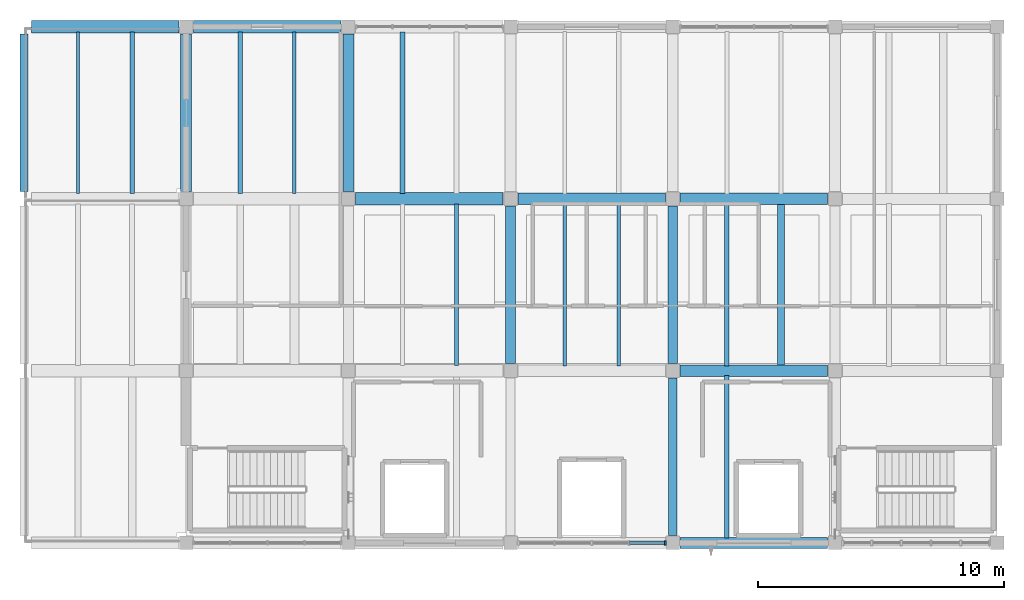
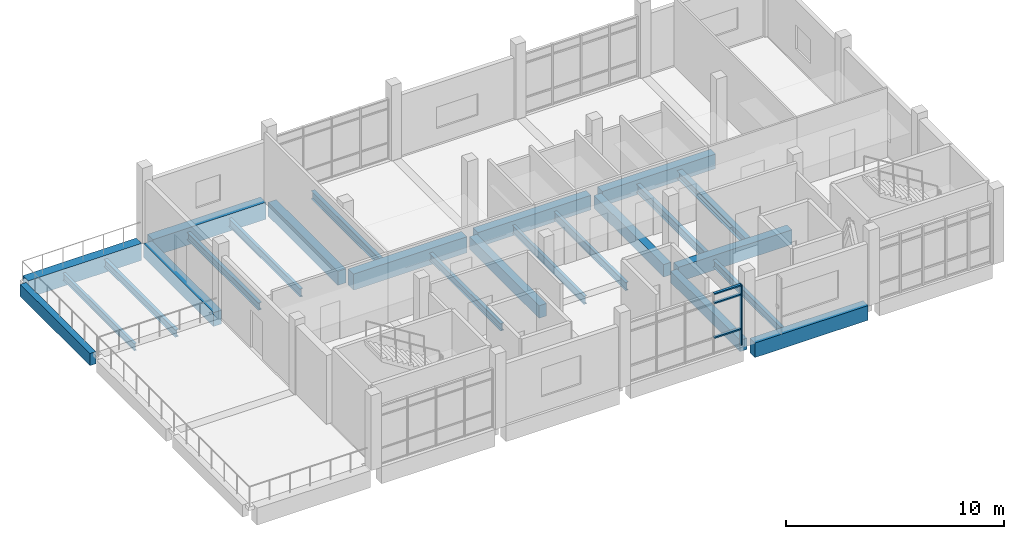
# One storey, part 3 of 12: 24 beams, 4 members, 1 element without a shape of its own.
"""IFC4 building model written with IfcOpenShell, lengths in metres."""

from ifc_helpers import new_model, si_unit, direction, frame, origin, origin_2d, place, context, subcontext, project, spatial, rectangle, i_section, extrude, material, material_profile, profile_set, type_object, element, aggregate, save


model = new_model("IFC4")

# Units and contexts
model_context = context("Model", 3, precision=1e-05, world=origin(), true_north=direction((0.0, 1.0)))
body_context = subcontext(model_context, "Body", "Model", "MODEL_VIEW")
ifc_project = project(units=[si_unit("LENGTHUNIT", "METRE"), si_unit("AREAUNIT", "SQUARE_METRE"), si_unit("VOLUMEUNIT", "CUBIC_METRE"), si_unit("PLANEANGLEUNIT", "RADIAN"), si_unit("MASSUNIT", "GRAM", prefix="KILO")], contexts=[model_context])

# Site, building, storey
site_placement = place(None, origin())
site = spatial("IfcSite", under=ifc_project, at=site_placement, CompositionType="ELEMENT")
building_placement = place(site_placement, origin())
building = spatial("IfcBuilding", under=site, at=building_placement, Name="Ciguamira Faculty of Natural Sciences", CompositionType="ELEMENT")
storey_placement = place(building_placement, frame((0.0, 0.0, 37.800048828125)))
storey = spatial("IfcBuildingStorey", under=building, at=storey_placement, Name="L09", CompositionType="ELEMENT", Elevation=37.800048828125)

# Curtain wall, members
ifc_material_1 = material(Name="Anodized aluminium curtain wall", Category="aluminium")
curtain_wall_type = type_object("IfcCurtainWallType", Name="CurtainWall_CW-05", PredefinedType="USERDEFINED", material=ifc_material_1)
curtain_wall_placement = place(storey_placement, origin())
curtain_wall = element("IfcCurtainWall", 1, at=curtain_wall_placement, inside=storey, type_object=curtain_wall_type, Name="L09 unitised curtain wall 0161", ObjectType="UNITISED CURTAIN WALL", PredefinedType="USERDEFINED")
ifc_material_2 = material(Name="Anodized aluminium mullion", Category="aluminium")
ifc_material_profile_1 = material_profile(ifc_material_2, rectangle(XDim=0.070068359375, YDim=0.179931640625, at=origin_2d()), Name="ALU-MUL-70X180")
ifc_profile_set_1 = profile_set([ifc_material_profile_1], Name="Anodized aluminium mullion")
member_type_1 = type_object("IfcMemberType", Name="CWMullion_CWM-02", PredefinedType="MULLION", material=ifc_profile_set_1)
member_1_placement = place(storey_placement, frame((89.989990234375, 94.0, 0.0), z_axis=(0.0, 0.0, 1.0), x_axis=(1.0, 0.0, 0.0)))
member_1 = element("IfcMember", 2, at=member_1_placement, type_object=member_type_1, Name="CW-05 mullion 5", PredefinedType="MULLION", context=body_context, shape_type="SweptSolid", body=[
    extrude(rectangle(XDim=0.070068359375, YDim=0.179931640625, at=origin_2d()), origin(), (0.0, 0.0, 1.0), 3.385009765625),
])
ifc_material_3 = material(Name="Anodized aluminium transom", Category="aluminium")
ifc_material_profile_2 = material_profile(ifc_material_3, rectangle(XDim=0.070068359375, YDim=0.139892578125, at=origin_2d()), Name="ALU-TRN-70X140")
ifc_profile_set_2 = profile_set([ifc_material_profile_2], Name="Anodized aluminium transom")
member_type_2 = type_object("IfcMemberType", Name="CWTransom_CWT-02", PredefinedType="USERDEFINED", material=ifc_profile_set_2)
member_2_placement = place(storey_placement, frame((88.547607421875, 94.0, 0.89990234375), z_axis=(1.0, 0.0, 0.0), x_axis=(0.0, 0.0, 1.0)))
member_2 = element("IfcMember", 3, at=member_2_placement, type_object=member_type_2, Name="CW-05 transom 4.2", ObjectType="TRANSOM", PredefinedType="USERDEFINED", context=body_context, shape_type="SweptSolid", body=[
    extrude(rectangle(XDim=0.070068359375, YDim=0.139892578125, at=origin_2d()), origin(), (0.0, 0.0, 1.0), 1.407470703125),
])
member_3_placement = place(storey_placement, frame((88.547607421875, 94.0, 2.8349609375), z_axis=(1.0, 0.0, 0.0), x_axis=(0.0, 0.0, 1.0)))
member_3 = element("IfcMember", 4, at=member_3_placement, type_object=member_type_2, Name="CW-05 transom 4.3", ObjectType="TRANSOM", PredefinedType="USERDEFINED", context=body_context, shape_type="SweptSolid", body=[
    extrude(rectangle(XDim=0.070068359375, YDim=0.139892578125, at=origin_2d()), origin(), (0.0, 0.0, 1.0), 1.407470703125),
])
member_4_placement = place(storey_placement, frame((88.547607421875, 94.0, 3.349853515625), z_axis=(1.0, 0.0, 0.0), x_axis=(0.0, 0.0, 1.0)))
member_4 = element("IfcMember", 5, at=member_4_placement, type_object=member_type_2, Name="CW-05 transom 4.4", ObjectType="TRANSOM", PredefinedType="USERDEFINED", context=body_context, shape_type="SweptSolid", body=[
    extrude(rectangle(XDim=0.070068359375, YDim=0.139892578125, at=origin_2d()), origin(), (0.0, 0.0, 1.0), 1.407470703125),
])
aggregate(curtain_wall, [member_1, member_2, member_3, member_4])

# Beams
ifc_material_4 = material(Name="Concrete C40/50", Category="concrete")
ifc_material_profile_3 = material_profile(ifc_material_4, rectangle(XDim=0.5, YDim=0.949951171875, at=origin_2d()), Name="RC-BM-500X950")
ifc_profile_set_3 = profile_set([ifc_material_profile_3], Name="Concrete C40/50")
beam_type_1 = type_object("IfcBeamType", Name="RCBeam_BG-02_RC-BM-500X950", PredefinedType="BEAM", material=ifc_profile_set_3)
for number, where, z_axis, x_axis, name in (
    (6, (64.199951171875, 115.0, -0.47509765625), (1.0, 0.0, 0.0), (0.0, 1.0, 0.0), "L09 RC girder EW-1651"),
    (7, (70.800048828125, 115.0, -0.47509765625), (1.0, 0.0, 0.0), (0.0, 1.0, 0.0), "L09 RC girder EW-1652"),
):
    element("IfcBeam", number, at=place(storey_placement, frame(where, z_axis=z_axis, x_axis=x_axis)), inside=storey, type_object=beam_type_1, Name=name, PredefinedType="BEAM", context=body_context, shape_type="SweptSolid", body=[
        extrude(rectangle(XDim=0.5, YDim=0.949951171875, at=origin_2d()), origin(), (0.0, 0.0, 1.0), 6.0),
    ])
ifc_material_profile_4 = material_profile(ifc_material_4, rectangle(XDim=0.5, YDim=0.89990234375, at=origin_2d()), Name="RC-BM-500X900")
ifc_profile_set_4 = profile_set([ifc_material_profile_4], Name="Concrete C40/50")
beam_type_2 = type_object("IfcBeamType", Name="RCBeam_BG-03_RC-BM-500X900", PredefinedType="BEAM", material=ifc_profile_set_4)
beam_1_placement = place(storey_placement, frame((77.39990234375, 108.0, -0.449951171875), z_axis=(1.0, 0.0, 0.0), x_axis=(0.0, 1.0, 0.0)))
element("IfcBeam", 8, at=beam_1_placement, inside=storey, type_object=beam_type_2, Name="L09 RC girder EW-1647", PredefinedType="BEAM", context=body_context, shape_type="SweptSolid", body=[
    extrude(rectangle(XDim=0.5, YDim=0.89990234375, at=origin_2d()), origin(), (0.0, 0.0, 1.0), 6.0),
])
ifc_material_profile_5 = material_profile(ifc_material_4, rectangle(XDim=0.4599609375, YDim=0.820068359375, at=origin_2d()), Name="RC-BM-460X820")
ifc_profile_set_5 = profile_set([ifc_material_profile_5], Name="Concrete C40/50")
beam_type_3 = type_object("IfcBeamType", Name="RCBeam_BG-04_RC-BM-460X820", PredefinedType="BEAM", material=ifc_profile_set_5)
for number, where, z_axis, x_axis, name in (
    (9, (90.60009765625, 94.0, -0.41015625), (1.0, 0.0, 0.0), (0.0, 1.0, 0.0), "L09 RC girder EW-1637"),
    (10, (90.60009765625, 101.0, -0.41015625), (1.0, 0.0, 0.0), (0.0, 1.0, 0.0), "L09 RC girder EW-1643"),
    (11, (84.0, 108.0, -0.41015625), (1.0, 0.0, 0.0), (0.0, 1.0, 0.0), "L09 RC girder EW-1648"),
    (12, (90.60009765625, 108.0, -0.41015625), (1.0, 0.0, 0.0), (0.0, 1.0, 0.0), "L09 RC girder EW-1649"),
):
    element("IfcBeam", number, at=place(storey_placement, frame(where, z_axis=z_axis, x_axis=x_axis)), inside=storey, type_object=beam_type_3, Name=name, PredefinedType="BEAM", context=body_context, shape_type="SweptSolid", body=[
        extrude(rectangle(XDim=0.4599609375, YDim=0.820068359375, at=origin_2d()), origin(), (0.0, 0.0, 1.0), 6.0),
    ])
ifc_material_profile_6 = material_profile(ifc_material_4, rectangle(XDim=0.43994140625, YDim=0.780029296875, at=origin_2d()), Name="RC-BM-440X780")
ifc_profile_set_6 = profile_set([ifc_material_profile_6], Name="Concrete C40/50")
beam_type_4 = type_object("IfcBeamType", Name="RCBeam_BG-06_RC-BM-440X780", PredefinedType="BEAM", material=ifc_profile_set_6)
for number, where, z_axis, x_axis, name in (
    (13, (70.5, 108.300048828125, -0.39013671875), (0.0, 1.0, 0.0), (-1.0, 0.0, 0.0), "L09 girder NS-1661"),
    (14, (77.10009765625, 108.300048828125, -0.39013671875), (0.0, 1.0, 0.0), (-1.0, 0.0, 0.0), "L09 girder NS-1663"),
):
    element("IfcBeam", number, at=place(storey_placement, frame(where, z_axis=z_axis, x_axis=x_axis)), inside=storey, type_object=beam_type_4, Name=name, PredefinedType="BEAM", context=body_context, shape_type="SweptSolid", body=[
        extrude(rectangle(XDim=0.43994140625, YDim=0.780029296875, at=origin_2d()), origin(), (0.0, 0.0, 1.0), 6.39990234375),
    ])
ifc_material_profile_7 = material_profile(ifc_material_4, rectangle(XDim=0.39990234375, YDim=0.699951171875, at=origin_2d()), Name="RC-BM-400X700")
ifc_profile_set_7 = profile_set([ifc_material_profile_7], Name="Concrete C40/50")
beam_type_5 = type_object("IfcBeamType", Name="RCBeam_BG-08_RC-BM-400X700", PredefinedType="BEAM", material=ifc_profile_set_7)
for number, where, z_axis, x_axis, name in (
    (15, (83.699951171875, 101.300048828125, -0.35009765625), (0.0, 1.0, 0.0), (-1.0, 0.0, 0.0), "L09 girder NS-1665"),
    (16, (90.300048828125, 101.300048828125, -0.35009765625), (0.0, 1.0, 0.0), (-1.0, 0.0, 0.0), "L09 girder NS-1668"),
):
    element("IfcBeam", number, at=place(storey_placement, frame(where, z_axis=z_axis, x_axis=x_axis)), inside=storey, type_object=beam_type_5, Name=name, PredefinedType="BEAM", context=body_context, shape_type="SweptSolid", body=[
        extrude(rectangle(XDim=0.39990234375, YDim=0.699951171875, at=origin_2d()), origin(), (0.0, 0.0, 1.0), 6.39990234375),
    ])
ifc_material_profile_8 = material_profile(ifc_material_4, rectangle(XDim=0.360107421875, YDim=0.639892578125, at=origin_2d()), Name="RC-BM-360X640")
ifc_profile_set_8 = profile_set([ifc_material_profile_8], Name="Concrete C40/50")
beam_type_6 = type_object("IfcBeamType", Name="RCBeam_BG-10_RC-BM-360X640", PredefinedType="BEAM", material=ifc_profile_set_8)
beam_2_placement = place(storey_placement, frame((90.300048828125, 94.300048828125, -0.320068359375), z_axis=(0.0, 1.0, 0.0), x_axis=(-1.0, 0.0, 0.0)))
element("IfcBeam", 17, at=beam_2_placement, inside=storey, type_object=beam_type_6, Name="L09 girder NS-1667", PredefinedType="BEAM", context=body_context, shape_type="SweptSolid", body=[
    extrude(rectangle(XDim=0.360107421875, YDim=0.639892578125, at=origin_2d()), origin(), (0.0, 0.0, 1.0), 6.39990234375),
])
ifc_material_5 = material(Name="Precast concrete C40/50", Category="concrete")
ifc_material_profile_9 = material_profile(ifc_material_5, rectangle(XDim=0.320068359375, YDim=0.679931640625, at=origin_2d()), Name="RC-SP-320X680")
ifc_profile_set_9 = profile_set([ifc_material_profile_9], Name="Precast concrete C40/50")
beam_type_7 = type_object("IfcBeamType", Name="RCBeam_SP-02_RC-SP-320X680", PredefinedType="SPANDREL", material=ifc_profile_set_9)
beam_3_placement = place(storey_placement, frame((63.89990234375, 108.300048828125, -0.340087890625), z_axis=(0.0, 1.0, 0.0), x_axis=(-1.0, 0.0, 0.0)))
element("IfcBeam", 18, at=beam_3_placement, inside=storey, type_object=beam_type_7, Name="L09 girder NS-1659", PredefinedType="SPANDREL", context=body_context, shape_type="SweptSolid", body=[
    extrude(rectangle(XDim=0.320068359375, YDim=0.679931640625, at=origin_2d()), origin(), (0.0, 0.0, 1.0), 6.39990234375),
])
ifc_material_6 = material(Name="Steel ASTM A992 Grade 50", Category="steel")
ifc_material_profile_10 = material_profile(ifc_material_6, i_section(OverallWidth=0.140380859375, OverallDepth=0.40380859375, WebThickness=0.007080078125, FlangeThickness=0.01123046875, at=origin_2d()), Name="W16X31")
ifc_profile_set_10 = profile_set([ifc_material_profile_10], Name="Steel ASTM A992 Grade 50")
beam_type_8 = type_object("IfcBeamType", Name="SteelJoist_SJ-17_W16X31", PredefinedType="JOIST", material=ifc_profile_set_10)
beam_4_placement = place(storey_placement, frame((66.10009765625, 108.2099609375, -0.40185546875), z_axis=(0.0, 1.0, 0.0), x_axis=(-1.0, 0.0, 0.0)))
element("IfcBeam", 19, at=beam_4_placement, inside=storey, type_object=beam_type_8, Name="L09 composite steel joist 01482", PredefinedType="JOIST", context=body_context, shape_type="SweptSolid", body=[
    extrude(i_section(OverallWidth=0.140380859375, OverallDepth=0.40380859375, WebThickness=0.007080078125, FlangeThickness=0.01123046875, at=origin_2d()), origin(), (0.0, 0.0, 1.0), 6.580078125),
])
ifc_material_profile_11 = material_profile(ifc_material_6, i_section(OverallWidth=0.177490234375, OverallDepth=0.40380859375, WebThickness=0.007568359375, FlangeThickness=0.010986328125, at=origin_2d()), Name="W16X36")
ifc_profile_set_11 = profile_set([ifc_material_profile_11], Name="Steel ASTM A992 Grade 50")
beam_type_9 = type_object("IfcBeamType", Name="SteelJoist_SJ-18_W16X36", PredefinedType="JOIST", material=ifc_profile_set_11)
beam_5_placement = place(storey_placement, frame((68.300048828125, 108.2099609375, -0.40185546875), z_axis=(0.0, 1.0, 0.0), x_axis=(-1.0, 0.0, 0.0)))
element("IfcBeam", 20, at=beam_5_placement, inside=storey, type_object=beam_type_9, Name="L09 composite steel joist 01483", PredefinedType="JOIST", context=body_context, shape_type="SweptSolid", body=[
    extrude(i_section(OverallWidth=0.177490234375, OverallDepth=0.40380859375, WebThickness=0.007568359375, FlangeThickness=0.010986328125, at=origin_2d()), origin(), (0.0, 0.0, 1.0), 6.580078125),
])
ifc_material_profile_12 = material_profile(ifc_material_6, i_section(OverallWidth=0.1787109375, OverallDepth=0.408935546875, WebThickness=0.0087890625, FlangeThickness=0.014404296875, at=origin_2d()), Name="W16X45")
ifc_profile_set_12 = profile_set([ifc_material_profile_12], Name="Steel ASTM A992 Grade 50")
beam_type_10 = type_object("IfcBeamType", Name="SteelJoist_SJ-19_W16X45", PredefinedType="JOIST", material=ifc_profile_set_12)
beam_6_placement = place(storey_placement, frame((81.5, 101.2099609375, -0.424560546875), z_axis=(0.0, 1.0, 0.0), x_axis=(-1.0, 0.0, 0.0)))
element("IfcBeam", 21, at=beam_6_placement, inside=storey, type_object=beam_type_10, Name="L09 composite steel joist 01490", PredefinedType="JOIST", context=body_context, shape_type="SweptSolid", body=[
    extrude(i_section(OverallWidth=0.1787109375, OverallDepth=0.408935546875, WebThickness=0.0087890625, FlangeThickness=0.014404296875, at=origin_2d()), origin(), (0.0, 0.0, 1.0), 6.580078125),
])
beam_7_placement = place(storey_placement, frame((92.5, 94.18994140625, -0.424560546875), z_axis=(0.0, 1.0, 0.0), x_axis=(-1.0, 0.0, 0.0)))
element("IfcBeam", 22, at=beam_7_placement, inside=storey, type_object=beam_type_10, Name="L09 composite steel joist 01497", PredefinedType="JOIST", context=body_context, shape_type="SweptSolid", body=[
    extrude(i_section(OverallWidth=0.1787109375, OverallDepth=0.408935546875, WebThickness=0.0087890625, FlangeThickness=0.014404296875, at=origin_2d()), origin(), (0.0, 0.0, 1.0), 6.6201171875),
])
ifc_material_profile_13 = material_profile(ifc_material_6, i_section(OverallWidth=0.180908203125, OverallDepth=0.41650390625, WebThickness=0.010986328125, FlangeThickness=0.01806640625, at=origin_2d()), Name="W16X57")
ifc_profile_set_13 = profile_set([ifc_material_profile_13], Name="Steel ASTM A992 Grade 50")
beam_type_11 = type_object("IfcBeamType", Name="SteelJoist_SJ-20_W16X57", PredefinedType="JOIST", material=ifc_profile_set_13)
beam_8_placement = place(storey_placement, frame((72.699951171875, 108.2099609375, -0.428466796875), z_axis=(0.0, 1.0, 0.0), x_axis=(-1.0, 0.0, 0.0)))
element("IfcBeam", 23, at=beam_8_placement, inside=storey, type_object=beam_type_11, Name="L09 composite steel joist 01486", PredefinedType="JOIST", context=body_context, shape_type="SweptSolid", body=[
    extrude(i_section(OverallWidth=0.180908203125, OverallDepth=0.41650390625, WebThickness=0.010986328125, FlangeThickness=0.01806640625, at=origin_2d()), origin(), (0.0, 0.0, 1.0), 6.580078125),
])
ifc_material_profile_14 = material_profile(ifc_material_6, i_section(OverallWidth=0.15234375, OverallDepth=0.449462890625, WebThickness=0.007568359375, FlangeThickness=0.0107421875, at=origin_2d()), Name="W18X35")
ifc_profile_set_14 = profile_set([ifc_material_profile_14], Name="Steel ASTM A992 Grade 50")
beam_type_12 = type_object("IfcBeamType", Name="SteelJoist_SJ-21_W18X35", PredefinedType="JOIST", material=ifc_profile_set_14)
beam_9_placement = place(storey_placement, frame((74.89990234375, 108.2099609375, -0.44482421875), z_axis=(0.0, 1.0, 0.0), x_axis=(-1.0, 0.0, 0.0)))
element("IfcBeam", 24, at=beam_9_placement, inside=storey, type_object=beam_type_12, Name="L09 composite steel joist 01487", PredefinedType="JOIST", context=body_context, shape_type="SweptSolid", body=[
    extrude(i_section(OverallWidth=0.15234375, OverallDepth=0.449462890625, WebThickness=0.007568359375, FlangeThickness=0.0107421875, at=origin_2d()), origin(), (0.0, 0.0, 1.0), 6.580078125),
])
beam_10_placement = place(storey_placement, frame((85.89990234375, 101.18994140625, -0.44482421875), z_axis=(0.0, 1.0, 0.0), x_axis=(-1.0, 0.0, 0.0)))
element("IfcBeam", 25, at=beam_10_placement, inside=storey, type_object=beam_type_12, Name="L09 composite steel joist 01493", PredefinedType="JOIST", context=body_context, shape_type="SweptSolid", body=[
    extrude(i_section(OverallWidth=0.15234375, OverallDepth=0.449462890625, WebThickness=0.007568359375, FlangeThickness=0.0107421875, at=origin_2d()), origin(), (0.0, 0.0, 1.0), 6.6201171875),
])
ifc_material_profile_15 = material_profile(ifc_material_6, i_section(OverallWidth=0.15283203125, OverallDepth=0.45458984375, WebThickness=0.008056640625, FlangeThickness=0.013427734375, at=origin_2d()), Name="W18X40")
ifc_profile_set_15 = profile_set([ifc_material_profile_15], Name="Steel ASTM A992 Grade 50")
beam_type_13 = type_object("IfcBeamType", Name="SteelJoist_SJ-22_W18X40", PredefinedType="JOIST", material=ifc_profile_set_15)
beam_11_placement = place(storey_placement, frame((88.10009765625, 101.18994140625, -0.447265625), z_axis=(0.0, 1.0, 0.0), x_axis=(-1.0, 0.0, 0.0)))
element("IfcBeam", 26, at=beam_11_placement, inside=storey, type_object=beam_type_13, Name="L09 composite steel joist 01494", PredefinedType="JOIST", context=body_context, shape_type="SweptSolid", body=[
    extrude(i_section(OverallWidth=0.15283203125, OverallDepth=0.45458984375, WebThickness=0.008056640625, FlangeThickness=0.013427734375, at=origin_2d()), origin(), (0.0, 0.0, 1.0), 6.6201171875),
])
ifc_material_profile_16 = material_profile(ifc_material_6, i_section(OverallWidth=0.1904296875, OverallDepth=0.457275390625, WebThickness=0.009033203125, FlangeThickness=0.014404296875, at=origin_2d()), Name="W18X50")
ifc_profile_set_16 = profile_set([ifc_material_profile_16], Name="Steel ASTM A992 Grade 50")
beam_type_14 = type_object("IfcBeamType", Name="SteelJoist_SJ-23_W18X50", PredefinedType="JOIST", material=ifc_profile_set_16)
beam_12_placement = place(storey_placement, frame((79.300048828125, 108.2099609375, -0.44873046875), z_axis=(0.0, 1.0, 0.0), x_axis=(-1.0, 0.0, 0.0)))
element("IfcBeam", 27, at=beam_12_placement, inside=storey, type_object=beam_type_14, Name="L09 composite steel joist 01491", PredefinedType="JOIST", context=body_context, shape_type="SweptSolid", body=[
    extrude(i_section(OverallWidth=0.1904296875, OverallDepth=0.457275390625, WebThickness=0.009033203125, FlangeThickness=0.014404296875, at=origin_2d()), origin(), (0.0, 0.0, 1.0), 6.580078125),
])
ifc_material_profile_17 = material_profile(ifc_material_6, i_section(OverallWidth=0.19287109375, OverallDepth=0.46728515625, WebThickness=0.011474609375, FlangeThickness=0.01904296875, at=origin_2d()), Name="W18X65")
ifc_profile_set_17 = profile_set([ifc_material_profile_17], Name="Steel ASTM A992 Grade 50")
beam_type_15 = type_object("IfcBeamType", Name="SteelJoist_SJ-24_W18X65", PredefinedType="JOIST", material=ifc_profile_set_17)
beam_13_placement = place(storey_placement, frame((92.5, 101.18994140625, -0.453857421875), z_axis=(0.0, 1.0, 0.0), x_axis=(-1.0, 0.0, 0.0)))
element("IfcBeam", 28, at=beam_13_placement, inside=storey, type_object=beam_type_15, Name="L09 composite steel joist 01498", PredefinedType="JOIST", context=body_context, shape_type="SweptSolid", body=[
    extrude(i_section(OverallWidth=0.19287109375, OverallDepth=0.46728515625, WebThickness=0.011474609375, FlangeThickness=0.01904296875, at=origin_2d()), origin(), (0.0, 0.0, 1.0), 6.6201171875),
])
ifc_material_profile_18 = material_profile(ifc_material_6, i_section(OverallWidth=0.279296875, OverallDepth=0.462158203125, WebThickness=0.0107421875, FlangeThickness=0.017333984375, at=origin_2d()), Name="W18X76")
ifc_profile_set_18 = profile_set([ifc_material_profile_18], Name="Steel ASTM A992 Grade 50")
beam_type_16 = type_object("IfcBeamType", Name="SteelJoist_SJ-25_W18X76", PredefinedType="JOIST", material=ifc_profile_set_18)
beam_14_placement = place(storey_placement, frame((94.699951171875, 101.18994140625, -0.451171875), z_axis=(0.0, 1.0, 0.0), x_axis=(-1.0, 0.0, 0.0)))
element("IfcBeam", 29, at=beam_14_placement, inside=storey, type_object=beam_type_16, Name="L09 composite steel joist 01499", PredefinedType="JOIST", context=body_context, shape_type="SweptSolid", body=[
    extrude(i_section(OverallWidth=0.279296875, OverallDepth=0.462158203125, WebThickness=0.0107421875, FlangeThickness=0.017333984375, at=origin_2d()), origin(), (0.0, 0.0, 1.0), 6.6201171875),
])

save(model, "model.ifc")
